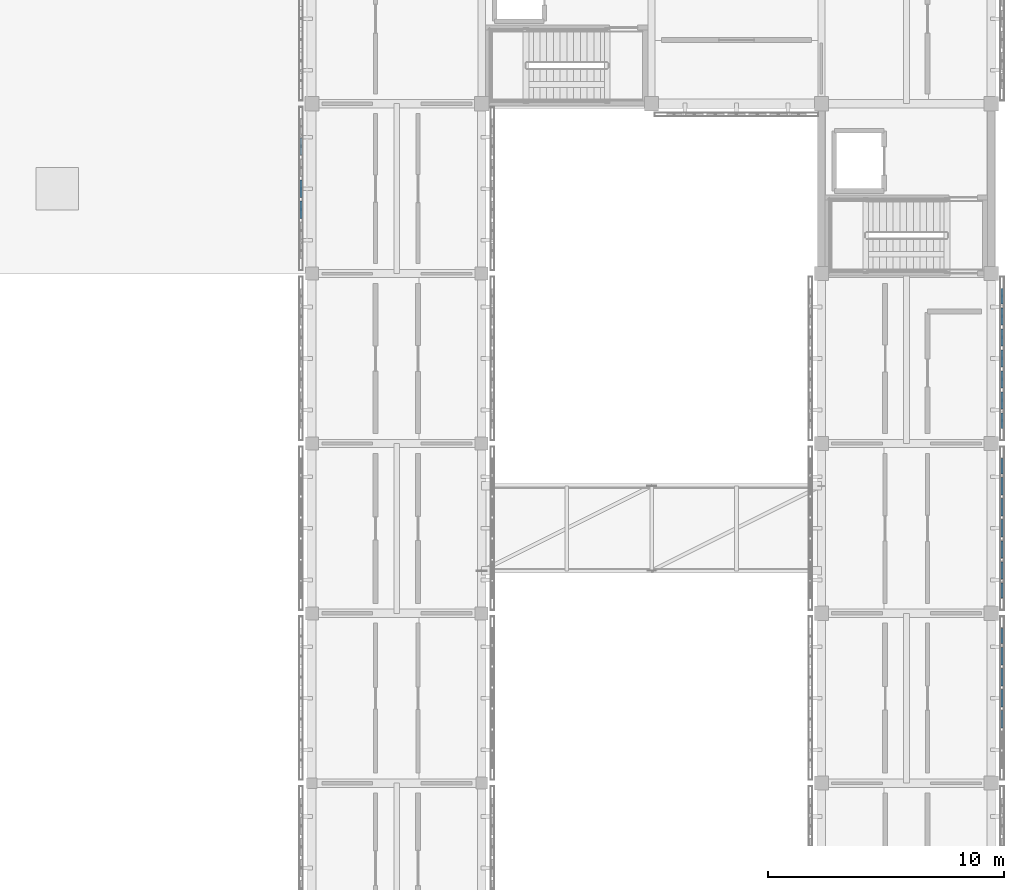
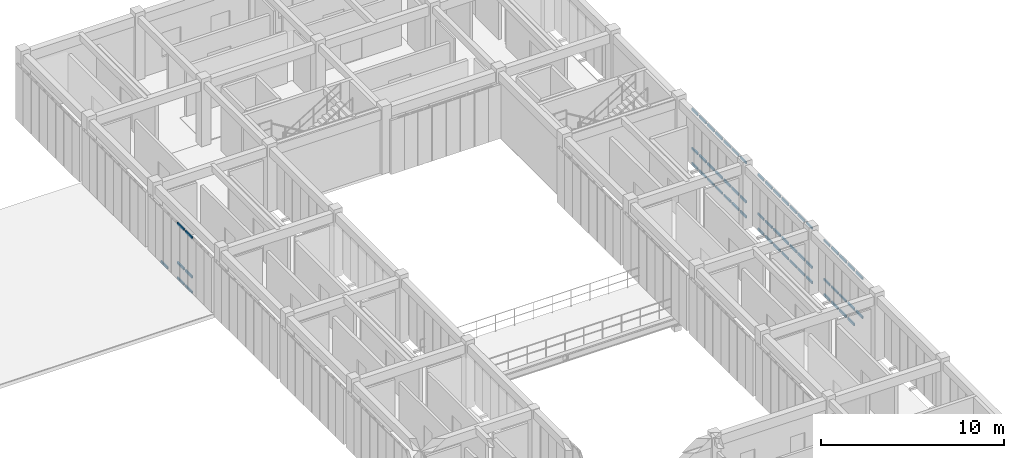
# One storey, part 39 of 91: 63 members, 4 elements without a shape of their own.
"""IFC4 building model written with IfcOpenShell, lengths in metres."""

from ifc_helpers import new_model, si_unit, direction, frame, origin, origin_2d, place, context, subcontext, project, spatial, hollow_rectangle, extrude, material, material_profile, profile_set, type_object, element, aggregate, save


model = new_model("IFC4")

# Units and contexts
model_context = context("Model", 3, precision=1e-05, world=origin(), true_north=direction((0.0, 1.0)))
body_context = subcontext(model_context, "Body", "Model", "MODEL_VIEW")
ifc_project = project(units=[si_unit("LENGTHUNIT", "METRE"), si_unit("AREAUNIT", "SQUARE_METRE"), si_unit("VOLUMEUNIT", "CUBIC_METRE"), si_unit("PLANEANGLEUNIT", "RADIAN"), si_unit("MASSUNIT", "GRAM", prefix="KILO")], contexts=[model_context])

# Site, building, storey
site_placement = place(None, origin())
site = spatial("IfcSite", under=ifc_project, at=site_placement, CompositionType="ELEMENT")
building_placement = place(site_placement, origin())
building = spatial("IfcBuilding", under=site, at=building_placement, Name="Aldebral Square Health Centre", CompositionType="ELEMENT")
storey_placement = place(building_placement, frame((0.0, 0.0, 9.0)))
storey = spatial("IfcBuildingStorey", under=building, at=storey_placement, Name="L02", CompositionType="ELEMENT", Elevation=9.0)

# Curtain wall, members
ifc_material_1 = material(Name="Aluminium and low-E solar glass", Category="aluminium")
curtain_wall_type = type_object("IfcCurtainWallType", Name="CW-FIN-SYS", PredefinedType="USERDEFINED", material=ifc_material_1)
curtain_wall_1_placement = place(storey_placement, origin())
curtain_wall_1 = element("IfcCurtainWall", 1, at=curtain_wall_1_placement, inside=storey, type_object=curtain_wall_type, Name="L02 V5 finned curtain wall L02-V5-19-13-W", ObjectType="SOLAR_CURTAIN_WALL", PredefinedType="USERDEFINED")
ifc_material_2 = material(Name="Anodised aluminium transom", Category="aluminium")
ifc_material_profile = material_profile(ifc_material_2, hollow_rectangle(XDim=0.074951171875, YDim=0.14990234375, WallThickness=0.00390625, at=origin_2d()), Name="CWT 75x150x4")
ifc_profile_set = profile_set([ifc_material_profile], Name="Anodised aluminium transom")
member_type = type_object("IfcMemberType", Name="CWT-STD", PredefinedType="USERDEFINED", material=ifc_profile_set)
member_1_placement = place(storey_placement, frame((136.340087890625, 99.3486328125, 0.03759765625), z_axis=(0.0, -1.0, 0.0), x_axis=(1.0, 0.0, 0.0)))
member_1 = element("IfcMember", 2, at=member_1_placement, type_object=member_type, Name="CW1 transom 2.1", ObjectType="TRANSOM", PredefinedType="USERDEFINED", context=body_context, shape_type="SweptSolid", body=[
    extrude(hollow_rectangle(XDim=0.074951171875, YDim=0.14990234375, WallThickness=0.00390625, at=origin_2d()), origin(), (0.0, 0.0, 1.0), 0.7314453125),
])
member_2_placement = place(storey_placement, frame((136.340087890625, 97.565673828125, 0.03759765625), z_axis=(0.0, -1.0, 0.0), x_axis=(1.0, 0.0, 0.0)))
member_2 = element("IfcMember", 3, at=member_2_placement, type_object=member_type, Name="CW1 transom 4.1", ObjectType="TRANSOM", PredefinedType="USERDEFINED", context=body_context, shape_type="SweptSolid", body=[
    extrude(hollow_rectangle(XDim=0.074951171875, YDim=0.14990234375, WallThickness=0.00390625, at=origin_2d()), origin(), (0.0, 0.0, 1.0), 0.7314453125),
])
member_3_placement = place(storey_placement, frame((136.340087890625, 97.565673828125, 1.050048828125), z_axis=(0.0, -1.0, 0.0), x_axis=(1.0, 0.0, 0.0)))
member_3 = element("IfcMember", 4, at=member_3_placement, type_object=member_type, Name="CW1 transom 4.2", ObjectType="TRANSOM", PredefinedType="USERDEFINED", context=body_context, shape_type="SweptSolid", body=[
    extrude(hollow_rectangle(XDim=0.074951171875, YDim=0.14990234375, WallThickness=0.00390625, at=origin_2d()), origin(), (0.0, 0.0, 1.0), 0.7314453125),
])
member_4_placement = place(storey_placement, frame((136.340087890625, 97.565673828125, 3.652587890625), z_axis=(0.0, -1.0, 0.0), x_axis=(1.0, 0.0, 0.0)))
member_4 = element("IfcMember", 5, at=member_4_placement, type_object=member_type, Name="CW1 transom 4.3", ObjectType="TRANSOM", PredefinedType="USERDEFINED", context=body_context, shape_type="SweptSolid", body=[
    extrude(hollow_rectangle(XDim=0.074951171875, YDim=0.14990234375, WallThickness=0.00390625, at=origin_2d()), origin(), (0.0, 0.0, 1.0), 0.7314453125),
])
member_5_placement = place(storey_placement, frame((136.340087890625, 96.67431640625, 0.03759765625), z_axis=(0.0, -1.0, 0.0), x_axis=(1.0, 0.0, 0.0)))
member_5 = element("IfcMember", 6, at=member_5_placement, type_object=member_type, Name="CW1 transom 5.1", ObjectType="TRANSOM", PredefinedType="USERDEFINED", context=body_context, shape_type="SweptSolid", body=[
    extrude(hollow_rectangle(XDim=0.074951171875, YDim=0.14990234375, WallThickness=0.00390625, at=origin_2d()), origin(), (0.0, 0.0, 1.0), 0.7314453125),
])
member_6_placement = place(storey_placement, frame((136.340087890625, 96.67431640625, 1.050048828125), z_axis=(0.0, -1.0, 0.0), x_axis=(1.0, 0.0, 0.0)))
member_6 = element("IfcMember", 7, at=member_6_placement, type_object=member_type, Name="CW1 transom 5.2", ObjectType="TRANSOM", PredefinedType="USERDEFINED", context=body_context, shape_type="SweptSolid", body=[
    extrude(hollow_rectangle(XDim=0.074951171875, YDim=0.14990234375, WallThickness=0.00390625, at=origin_2d()), origin(), (0.0, 0.0, 1.0), 0.7314453125),
])
member_7_placement = place(storey_placement, frame((136.340087890625, 96.67431640625, 3.652587890625), z_axis=(0.0, -1.0, 0.0), x_axis=(1.0, 0.0, 0.0)))
member_7 = element("IfcMember", 8, at=member_7_placement, type_object=member_type, Name="CW1 transom 5.3", ObjectType="TRANSOM", PredefinedType="USERDEFINED", context=body_context, shape_type="SweptSolid", body=[
    extrude(hollow_rectangle(XDim=0.074951171875, YDim=0.14990234375, WallThickness=0.00390625, at=origin_2d()), origin(), (0.0, 0.0, 1.0), 0.7314453125),
])
aggregate(curtain_wall_1, [member_1, member_2, member_3, member_4, member_5, member_6, member_7])

curtain_wall_2_placement = place(storey_placement, origin())
curtain_wall_2 = element("IfcCurtainWall", 9, at=curtain_wall_2_placement, inside=storey, type_object=curtain_wall_type, Name="L02 V5 finned curtain wall L02-V5-22-10-E", ObjectType="SOLAR_CURTAIN_WALL", PredefinedType="USERDEFINED")
member_8_placement = place(storey_placement, frame((166.06005859375, 74.3427734375, 1.050048828125), z_axis=(0.0, 1.0, 0.0), x_axis=(-1.0, 0.0, 0.0)))
member_8 = element("IfcMember", 10, at=member_8_placement, type_object=member_type, Name="CW1 transom 3.2", ObjectType="TRANSOM", PredefinedType="USERDEFINED", context=body_context, shape_type="SweptSolid", body=[
    extrude(hollow_rectangle(XDim=0.074951171875, YDim=0.14990234375, WallThickness=0.00390625, at=origin_2d()), origin(), (0.0, 0.0, 1.0), 0.7314453125),
])
member_9_placement = place(storey_placement, frame((166.06005859375, 74.3427734375, 3.652587890625), z_axis=(0.0, 1.0, 0.0), x_axis=(-1.0, 0.0, 0.0)))
member_9 = element("IfcMember", 11, at=member_9_placement, type_object=member_type, Name="CW1 transom 3.3", ObjectType="TRANSOM", PredefinedType="USERDEFINED", context=body_context, shape_type="SweptSolid", body=[
    extrude(hollow_rectangle(XDim=0.074951171875, YDim=0.14990234375, WallThickness=0.00390625, at=origin_2d()), origin(), (0.0, 0.0, 1.0), 0.7314453125),
])
member_10_placement = place(storey_placement, frame((166.06005859375, 75.234375, 0.03759765625), z_axis=(0.0, 1.0, 0.0), x_axis=(-1.0, 0.0, 0.0)))
member_10 = element("IfcMember", 12, at=member_10_placement, type_object=member_type, Name="CW1 transom 4.1", ObjectType="TRANSOM", PredefinedType="USERDEFINED", context=body_context, shape_type="SweptSolid", body=[
    extrude(hollow_rectangle(XDim=0.074951171875, YDim=0.14990234375, WallThickness=0.00390625, at=origin_2d()), origin(), (0.0, 0.0, 1.0), 0.7314453125),
])
member_11_placement = place(storey_placement, frame((166.06005859375, 75.234375, 1.050048828125), z_axis=(0.0, 1.0, 0.0), x_axis=(-1.0, 0.0, 0.0)))
member_11 = element("IfcMember", 13, at=member_11_placement, type_object=member_type, Name="CW1 transom 4.2", ObjectType="TRANSOM", PredefinedType="USERDEFINED", context=body_context, shape_type="SweptSolid", body=[
    extrude(hollow_rectangle(XDim=0.074951171875, YDim=0.14990234375, WallThickness=0.00390625, at=origin_2d()), origin(), (0.0, 0.0, 1.0), 0.7314453125),
])
member_12_placement = place(storey_placement, frame((166.06005859375, 75.234375, 3.652587890625), z_axis=(0.0, 1.0, 0.0), x_axis=(-1.0, 0.0, 0.0)))
member_12 = element("IfcMember", 14, at=member_12_placement, type_object=member_type, Name="CW1 transom 4.3", ObjectType="TRANSOM", PredefinedType="USERDEFINED", context=body_context, shape_type="SweptSolid", body=[
    extrude(hollow_rectangle(XDim=0.074951171875, YDim=0.14990234375, WallThickness=0.00390625, at=origin_2d()), origin(), (0.0, 0.0, 1.0), 0.7314453125),
])
member_13_placement = place(storey_placement, frame((166.06005859375, 76.125732421875, 0.03759765625), z_axis=(0.0, 1.0, 0.0), x_axis=(-1.0, 0.0, 0.0)))
member_13 = element("IfcMember", 15, at=member_13_placement, type_object=member_type, Name="CW1 transom 5.1", ObjectType="TRANSOM", PredefinedType="USERDEFINED", context=body_context, shape_type="SweptSolid", body=[
    extrude(hollow_rectangle(XDim=0.074951171875, YDim=0.14990234375, WallThickness=0.00390625, at=origin_2d()), origin(), (0.0, 0.0, 1.0), 0.7314453125),
])
member_14_placement = place(storey_placement, frame((166.06005859375, 76.125732421875, 1.050048828125), z_axis=(0.0, 1.0, 0.0), x_axis=(-1.0, 0.0, 0.0)))
member_14 = element("IfcMember", 16, at=member_14_placement, type_object=member_type, Name="CW1 transom 5.2", ObjectType="TRANSOM", PredefinedType="USERDEFINED", context=body_context, shape_type="SweptSolid", body=[
    extrude(hollow_rectangle(XDim=0.074951171875, YDim=0.14990234375, WallThickness=0.00390625, at=origin_2d()), origin(), (0.0, 0.0, 1.0), 0.7314453125),
])
member_15_placement = place(storey_placement, frame((166.06005859375, 76.125732421875, 3.652587890625), z_axis=(0.0, 1.0, 0.0), x_axis=(-1.0, 0.0, 0.0)))
member_15 = element("IfcMember", 17, at=member_15_placement, type_object=member_type, Name="CW1 transom 5.3", ObjectType="TRANSOM", PredefinedType="USERDEFINED", context=body_context, shape_type="SweptSolid", body=[
    extrude(hollow_rectangle(XDim=0.074951171875, YDim=0.14990234375, WallThickness=0.00390625, at=origin_2d()), origin(), (0.0, 0.0, 1.0), 0.7314453125),
])
member_16_placement = place(storey_placement, frame((166.06005859375, 77.01708984375, 0.03759765625), z_axis=(0.0, 1.0, 0.0), x_axis=(-1.0, 0.0, 0.0)))
member_16 = element("IfcMember", 18, at=member_16_placement, type_object=member_type, Name="CW1 transom 6.1", ObjectType="TRANSOM", PredefinedType="USERDEFINED", context=body_context, shape_type="SweptSolid", body=[
    extrude(hollow_rectangle(XDim=0.074951171875, YDim=0.14990234375, WallThickness=0.00390625, at=origin_2d()), origin(), (0.0, 0.0, 1.0), 0.7314453125),
])
member_17_placement = place(storey_placement, frame((166.06005859375, 77.01708984375, 1.050048828125), z_axis=(0.0, 1.0, 0.0), x_axis=(-1.0, 0.0, 0.0)))
member_17 = element("IfcMember", 19, at=member_17_placement, type_object=member_type, Name="CW1 transom 6.2", ObjectType="TRANSOM", PredefinedType="USERDEFINED", context=body_context, shape_type="SweptSolid", body=[
    extrude(hollow_rectangle(XDim=0.074951171875, YDim=0.14990234375, WallThickness=0.00390625, at=origin_2d()), origin(), (0.0, 0.0, 1.0), 0.7314453125),
])
member_18_placement = place(storey_placement, frame((166.06005859375, 77.01708984375, 3.652587890625), z_axis=(0.0, 1.0, 0.0), x_axis=(-1.0, 0.0, 0.0)))
member_18 = element("IfcMember", 20, at=member_18_placement, type_object=member_type, Name="CW1 transom 6.3", ObjectType="TRANSOM", PredefinedType="USERDEFINED", context=body_context, shape_type="SweptSolid", body=[
    extrude(hollow_rectangle(XDim=0.074951171875, YDim=0.14990234375, WallThickness=0.00390625, at=origin_2d()), origin(), (0.0, 0.0, 1.0), 0.7314453125),
])
member_19_placement = place(storey_placement, frame((166.06005859375, 77.90869140625, 0.03759765625), z_axis=(0.0, 1.0, 0.0), x_axis=(-1.0, 0.0, 0.0)))
member_19 = element("IfcMember", 21, at=member_19_placement, type_object=member_type, Name="CW1 transom 7.1", ObjectType="TRANSOM", PredefinedType="USERDEFINED", context=body_context, shape_type="SweptSolid", body=[
    extrude(hollow_rectangle(XDim=0.074951171875, YDim=0.14990234375, WallThickness=0.00390625, at=origin_2d()), origin(), (0.0, 0.0, 1.0), 0.6513671875),
])
member_20_placement = place(storey_placement, frame((166.06005859375, 77.90869140625, 1.050048828125), z_axis=(0.0, 1.0, 0.0), x_axis=(-1.0, 0.0, 0.0)))
member_20 = element("IfcMember", 22, at=member_20_placement, type_object=member_type, Name="CW1 transom 7.2", ObjectType="TRANSOM", PredefinedType="USERDEFINED", context=body_context, shape_type="SweptSolid", body=[
    extrude(hollow_rectangle(XDim=0.074951171875, YDim=0.14990234375, WallThickness=0.00390625, at=origin_2d()), origin(), (0.0, 0.0, 1.0), 0.6513671875),
])
member_21_placement = place(storey_placement, frame((166.06005859375, 77.90869140625, 3.652587890625), z_axis=(0.0, 1.0, 0.0), x_axis=(-1.0, 0.0, 0.0)))
member_21 = element("IfcMember", 23, at=member_21_placement, type_object=member_type, Name="CW1 transom 7.3", ObjectType="TRANSOM", PredefinedType="USERDEFINED", context=body_context, shape_type="SweptSolid", body=[
    extrude(hollow_rectangle(XDim=0.074951171875, YDim=0.14990234375, WallThickness=0.00390625, at=origin_2d()), origin(), (0.0, 0.0, 1.0), 0.6513671875),
])
aggregate(curtain_wall_2, [member_8, member_9, member_10, member_11, member_12, member_13, member_14, member_15, member_16, member_17, member_18, member_19, member_20, member_21])

curtain_wall_3_placement = place(storey_placement, origin())
curtain_wall_3 = element("IfcCurtainWall", 24, at=curtain_wall_3_placement, inside=storey, type_object=curtain_wall_type, Name="L02 V5 finned curtain wall L02-V5-22-11-E", ObjectType="SOLAR_CURTAIN_WALL", PredefinedType="USERDEFINED")
member_22_placement = place(storey_placement, frame((166.06005859375, 79.840087890625, 0.03759765625), z_axis=(0.0, 1.0, 0.0), x_axis=(-1.0, 0.0, 0.0)))
member_22 = element("IfcMember", 25, at=member_22_placement, type_object=member_type, Name="CW1 transom 1.1", ObjectType="TRANSOM", PredefinedType="USERDEFINED", context=body_context, shape_type="SweptSolid", body=[
    extrude(hollow_rectangle(XDim=0.074951171875, YDim=0.14990234375, WallThickness=0.00390625, at=origin_2d()), origin(), (0.0, 0.0, 1.0), 0.6513671875),
])
member_23_placement = place(storey_placement, frame((166.06005859375, 79.840087890625, 1.050048828125), z_axis=(0.0, 1.0, 0.0), x_axis=(-1.0, 0.0, 0.0)))
member_23 = element("IfcMember", 26, at=member_23_placement, type_object=member_type, Name="CW1 transom 1.2", ObjectType="TRANSOM", PredefinedType="USERDEFINED", context=body_context, shape_type="SweptSolid", body=[
    extrude(hollow_rectangle(XDim=0.074951171875, YDim=0.14990234375, WallThickness=0.00390625, at=origin_2d()), origin(), (0.0, 0.0, 1.0), 0.6513671875),
])
member_24_placement = place(storey_placement, frame((166.06005859375, 79.840087890625, 3.652587890625), z_axis=(0.0, 1.0, 0.0), x_axis=(-1.0, 0.0, 0.0)))
member_24 = element("IfcMember", 27, at=member_24_placement, type_object=member_type, Name="CW1 transom 1.3", ObjectType="TRANSOM", PredefinedType="USERDEFINED", context=body_context, shape_type="SweptSolid", body=[
    extrude(hollow_rectangle(XDim=0.074951171875, YDim=0.14990234375, WallThickness=0.00390625, at=origin_2d()), origin(), (0.0, 0.0, 1.0), 0.6513671875),
])
member_25_placement = place(storey_placement, frame((166.06005859375, 80.6513671875, 0.03759765625), z_axis=(0.0, 1.0, 0.0), x_axis=(-1.0, 0.0, 0.0)))
member_25 = element("IfcMember", 28, at=member_25_placement, type_object=member_type, Name="CW1 transom 2.1", ObjectType="TRANSOM", PredefinedType="USERDEFINED", context=body_context, shape_type="SweptSolid", body=[
    extrude(hollow_rectangle(XDim=0.074951171875, YDim=0.14990234375, WallThickness=0.00390625, at=origin_2d()), origin(), (0.0, 0.0, 1.0), 0.7314453125),
])
member_26_placement = place(storey_placement, frame((166.06005859375, 80.6513671875, 1.050048828125), z_axis=(0.0, 1.0, 0.0), x_axis=(-1.0, 0.0, 0.0)))
member_26 = element("IfcMember", 29, at=member_26_placement, type_object=member_type, Name="CW1 transom 2.2", ObjectType="TRANSOM", PredefinedType="USERDEFINED", context=body_context, shape_type="SweptSolid", body=[
    extrude(hollow_rectangle(XDim=0.074951171875, YDim=0.14990234375, WallThickness=0.00390625, at=origin_2d()), origin(), (0.0, 0.0, 1.0), 0.7314453125),
])
member_27_placement = place(storey_placement, frame((166.06005859375, 80.6513671875, 3.652587890625), z_axis=(0.0, 1.0, 0.0), x_axis=(-1.0, 0.0, 0.0)))
member_27 = element("IfcMember", 30, at=member_27_placement, type_object=member_type, Name="CW1 transom 2.3", ObjectType="TRANSOM", PredefinedType="USERDEFINED", context=body_context, shape_type="SweptSolid", body=[
    extrude(hollow_rectangle(XDim=0.074951171875, YDim=0.14990234375, WallThickness=0.00390625, at=origin_2d()), origin(), (0.0, 0.0, 1.0), 0.7314453125),
])
member_28_placement = place(storey_placement, frame((166.06005859375, 81.54296875, 0.03759765625), z_axis=(0.0, 1.0, 0.0), x_axis=(-1.0, 0.0, 0.0)))
member_28 = element("IfcMember", 31, at=member_28_placement, type_object=member_type, Name="CW1 transom 3.1", ObjectType="TRANSOM", PredefinedType="USERDEFINED", context=body_context, shape_type="SweptSolid", body=[
    extrude(hollow_rectangle(XDim=0.074951171875, YDim=0.14990234375, WallThickness=0.00390625, at=origin_2d()), origin(), (0.0, 0.0, 1.0), 0.731201171875),
])
member_29_placement = place(storey_placement, frame((166.06005859375, 81.54296875, 1.050048828125), z_axis=(0.0, 1.0, 0.0), x_axis=(-1.0, 0.0, 0.0)))
member_29 = element("IfcMember", 32, at=member_29_placement, type_object=member_type, Name="CW1 transom 3.2", ObjectType="TRANSOM", PredefinedType="USERDEFINED", context=body_context, shape_type="SweptSolid", body=[
    extrude(hollow_rectangle(XDim=0.074951171875, YDim=0.14990234375, WallThickness=0.00390625, at=origin_2d()), origin(), (0.0, 0.0, 1.0), 0.731201171875),
])
member_30_placement = place(storey_placement, frame((166.06005859375, 81.54296875, 3.652587890625), z_axis=(0.0, 1.0, 0.0), x_axis=(-1.0, 0.0, 0.0)))
member_30 = element("IfcMember", 33, at=member_30_placement, type_object=member_type, Name="CW1 transom 3.3", ObjectType="TRANSOM", PredefinedType="USERDEFINED", context=body_context, shape_type="SweptSolid", body=[
    extrude(hollow_rectangle(XDim=0.074951171875, YDim=0.14990234375, WallThickness=0.00390625, at=origin_2d()), origin(), (0.0, 0.0, 1.0), 0.731201171875),
])
member_31_placement = place(storey_placement, frame((166.06005859375, 82.434326171875, 0.03759765625), z_axis=(0.0, 1.0, 0.0), x_axis=(-1.0, 0.0, 0.0)))
member_31 = element("IfcMember", 34, at=member_31_placement, type_object=member_type, Name="CW1 transom 4.1", ObjectType="TRANSOM", PredefinedType="USERDEFINED", context=body_context, shape_type="SweptSolid", body=[
    extrude(hollow_rectangle(XDim=0.074951171875, YDim=0.14990234375, WallThickness=0.00390625, at=origin_2d()), origin(), (0.0, 0.0, 1.0), 0.7314453125),
])
member_32_placement = place(storey_placement, frame((166.06005859375, 82.434326171875, 1.050048828125), z_axis=(0.0, 1.0, 0.0), x_axis=(-1.0, 0.0, 0.0)))
member_32 = element("IfcMember", 35, at=member_32_placement, type_object=member_type, Name="CW1 transom 4.2", ObjectType="TRANSOM", PredefinedType="USERDEFINED", context=body_context, shape_type="SweptSolid", body=[
    extrude(hollow_rectangle(XDim=0.074951171875, YDim=0.14990234375, WallThickness=0.00390625, at=origin_2d()), origin(), (0.0, 0.0, 1.0), 0.7314453125),
])
member_33_placement = place(storey_placement, frame((166.06005859375, 82.434326171875, 3.652587890625), z_axis=(0.0, 1.0, 0.0), x_axis=(-1.0, 0.0, 0.0)))
member_33 = element("IfcMember", 36, at=member_33_placement, type_object=member_type, Name="CW1 transom 4.3", ObjectType="TRANSOM", PredefinedType="USERDEFINED", context=body_context, shape_type="SweptSolid", body=[
    extrude(hollow_rectangle(XDim=0.074951171875, YDim=0.14990234375, WallThickness=0.00390625, at=origin_2d()), origin(), (0.0, 0.0, 1.0), 0.7314453125),
])
member_34_placement = place(storey_placement, frame((166.06005859375, 83.32568359375, 0.03759765625), z_axis=(0.0, 1.0, 0.0), x_axis=(-1.0, 0.0, 0.0)))
member_34 = element("IfcMember", 37, at=member_34_placement, type_object=member_type, Name="CW1 transom 5.1", ObjectType="TRANSOM", PredefinedType="USERDEFINED", context=body_context, shape_type="SweptSolid", body=[
    extrude(hollow_rectangle(XDim=0.074951171875, YDim=0.14990234375, WallThickness=0.00390625, at=origin_2d()), origin(), (0.0, 0.0, 1.0), 0.7314453125),
])
member_35_placement = place(storey_placement, frame((166.06005859375, 83.32568359375, 1.050048828125), z_axis=(0.0, 1.0, 0.0), x_axis=(-1.0, 0.0, 0.0)))
member_35 = element("IfcMember", 38, at=member_35_placement, type_object=member_type, Name="CW1 transom 5.2", ObjectType="TRANSOM", PredefinedType="USERDEFINED", context=body_context, shape_type="SweptSolid", body=[
    extrude(hollow_rectangle(XDim=0.074951171875, YDim=0.14990234375, WallThickness=0.00390625, at=origin_2d()), origin(), (0.0, 0.0, 1.0), 0.7314453125),
])
member_36_placement = place(storey_placement, frame((166.06005859375, 83.32568359375, 3.652587890625), z_axis=(0.0, 1.0, 0.0), x_axis=(-1.0, 0.0, 0.0)))
member_36 = element("IfcMember", 39, at=member_36_placement, type_object=member_type, Name="CW1 transom 5.3", ObjectType="TRANSOM", PredefinedType="USERDEFINED", context=body_context, shape_type="SweptSolid", body=[
    extrude(hollow_rectangle(XDim=0.074951171875, YDim=0.14990234375, WallThickness=0.00390625, at=origin_2d()), origin(), (0.0, 0.0, 1.0), 0.7314453125),
])
member_37_placement = place(storey_placement, frame((166.06005859375, 84.217041015625, 0.03759765625), z_axis=(0.0, 1.0, 0.0), x_axis=(-1.0, 0.0, 0.0)))
member_37 = element("IfcMember", 40, at=member_37_placement, type_object=member_type, Name="CW1 transom 6.1", ObjectType="TRANSOM", PredefinedType="USERDEFINED", context=body_context, shape_type="SweptSolid", body=[
    extrude(hollow_rectangle(XDim=0.074951171875, YDim=0.14990234375, WallThickness=0.00390625, at=origin_2d()), origin(), (0.0, 0.0, 1.0), 0.7314453125),
])
member_38_placement = place(storey_placement, frame((166.06005859375, 84.217041015625, 1.050048828125), z_axis=(0.0, 1.0, 0.0), x_axis=(-1.0, 0.0, 0.0)))
member_38 = element("IfcMember", 41, at=member_38_placement, type_object=member_type, Name="CW1 transom 6.2", ObjectType="TRANSOM", PredefinedType="USERDEFINED", context=body_context, shape_type="SweptSolid", body=[
    extrude(hollow_rectangle(XDim=0.074951171875, YDim=0.14990234375, WallThickness=0.00390625, at=origin_2d()), origin(), (0.0, 0.0, 1.0), 0.7314453125),
])
member_39_placement = place(storey_placement, frame((166.06005859375, 84.217041015625, 3.652587890625), z_axis=(0.0, 1.0, 0.0), x_axis=(-1.0, 0.0, 0.0)))
member_39 = element("IfcMember", 42, at=member_39_placement, type_object=member_type, Name="CW1 transom 6.3", ObjectType="TRANSOM", PredefinedType="USERDEFINED", context=body_context, shape_type="SweptSolid", body=[
    extrude(hollow_rectangle(XDim=0.074951171875, YDim=0.14990234375, WallThickness=0.00390625, at=origin_2d()), origin(), (0.0, 0.0, 1.0), 0.7314453125),
])
member_40_placement = place(storey_placement, frame((166.06005859375, 85.108642578125, 0.03759765625), z_axis=(0.0, 1.0, 0.0), x_axis=(-1.0, 0.0, 0.0)))
member_40 = element("IfcMember", 43, at=member_40_placement, type_object=member_type, Name="CW1 transom 7.1", ObjectType="TRANSOM", PredefinedType="USERDEFINED", context=body_context, shape_type="SweptSolid", body=[
    extrude(hollow_rectangle(XDim=0.074951171875, YDim=0.14990234375, WallThickness=0.00390625, at=origin_2d()), origin(), (0.0, 0.0, 1.0), 0.6513671875),
])
member_41_placement = place(storey_placement, frame((166.06005859375, 85.108642578125, 1.050048828125), z_axis=(0.0, 1.0, 0.0), x_axis=(-1.0, 0.0, 0.0)))
member_41 = element("IfcMember", 44, at=member_41_placement, type_object=member_type, Name="CW1 transom 7.2", ObjectType="TRANSOM", PredefinedType="USERDEFINED", context=body_context, shape_type="SweptSolid", body=[
    extrude(hollow_rectangle(XDim=0.074951171875, YDim=0.14990234375, WallThickness=0.00390625, at=origin_2d()), origin(), (0.0, 0.0, 1.0), 0.6513671875),
])
member_42_placement = place(storey_placement, frame((166.06005859375, 85.108642578125, 3.652587890625), z_axis=(0.0, 1.0, 0.0), x_axis=(-1.0, 0.0, 0.0)))
member_42 = element("IfcMember", 45, at=member_42_placement, type_object=member_type, Name="CW1 transom 7.3", ObjectType="TRANSOM", PredefinedType="USERDEFINED", context=body_context, shape_type="SweptSolid", body=[
    extrude(hollow_rectangle(XDim=0.074951171875, YDim=0.14990234375, WallThickness=0.00390625, at=origin_2d()), origin(), (0.0, 0.0, 1.0), 0.6513671875),
])
aggregate(curtain_wall_3, [member_22, member_23, member_24, member_25, member_26, member_27, member_28, member_29, member_30, member_31, member_32, member_33, member_34, member_35, member_36, member_37, member_38, member_39, member_40, member_41, member_42])

curtain_wall_4_placement = place(storey_placement, origin())
curtain_wall_4 = element("IfcCurtainWall", 46, at=curtain_wall_4_placement, inside=storey, type_object=curtain_wall_type, Name="L02 V5 finned curtain wall L02-V5-22-12-E", ObjectType="SOLAR_CURTAIN_WALL", PredefinedType="USERDEFINED")
member_43_placement = place(storey_placement, frame((166.06005859375, 87.0400390625, 0.03759765625), z_axis=(0.0, 1.0, 0.0), x_axis=(-1.0, 0.0, 0.0)))
member_43 = element("IfcMember", 47, at=member_43_placement, type_object=member_type, Name="CW1 transom 1.1", ObjectType="TRANSOM", PredefinedType="USERDEFINED", context=body_context, shape_type="SweptSolid", body=[
    extrude(hollow_rectangle(XDim=0.074951171875, YDim=0.14990234375, WallThickness=0.00390625, at=origin_2d()), origin(), (0.0, 0.0, 1.0), 0.6513671875),
])
member_44_placement = place(storey_placement, frame((166.06005859375, 87.0400390625, 1.050048828125), z_axis=(0.0, 1.0, 0.0), x_axis=(-1.0, 0.0, 0.0)))
member_44 = element("IfcMember", 48, at=member_44_placement, type_object=member_type, Name="CW1 transom 1.2", ObjectType="TRANSOM", PredefinedType="USERDEFINED", context=body_context, shape_type="SweptSolid", body=[
    extrude(hollow_rectangle(XDim=0.074951171875, YDim=0.14990234375, WallThickness=0.00390625, at=origin_2d()), origin(), (0.0, 0.0, 1.0), 0.6513671875),
])
member_45_placement = place(storey_placement, frame((166.06005859375, 87.0400390625, 3.652587890625), z_axis=(0.0, 1.0, 0.0), x_axis=(-1.0, 0.0, 0.0)))
member_45 = element("IfcMember", 49, at=member_45_placement, type_object=member_type, Name="CW1 transom 1.3", ObjectType="TRANSOM", PredefinedType="USERDEFINED", context=body_context, shape_type="SweptSolid", body=[
    extrude(hollow_rectangle(XDim=0.074951171875, YDim=0.14990234375, WallThickness=0.00390625, at=origin_2d()), origin(), (0.0, 0.0, 1.0), 0.6513671875),
])
member_46_placement = place(storey_placement, frame((166.06005859375, 87.851318359375, 0.03759765625), z_axis=(0.0, 1.0, 0.0), x_axis=(-1.0, 0.0, 0.0)))
member_46 = element("IfcMember", 50, at=member_46_placement, type_object=member_type, Name="CW1 transom 2.1", ObjectType="TRANSOM", PredefinedType="USERDEFINED", context=body_context, shape_type="SweptSolid", body=[
    extrude(hollow_rectangle(XDim=0.074951171875, YDim=0.14990234375, WallThickness=0.00390625, at=origin_2d()), origin(), (0.0, 0.0, 1.0), 0.7314453125),
])
member_47_placement = place(storey_placement, frame((166.06005859375, 87.851318359375, 1.050048828125), z_axis=(0.0, 1.0, 0.0), x_axis=(-1.0, 0.0, 0.0)))
member_47 = element("IfcMember", 51, at=member_47_placement, type_object=member_type, Name="CW1 transom 2.2", ObjectType="TRANSOM", PredefinedType="USERDEFINED", context=body_context, shape_type="SweptSolid", body=[
    extrude(hollow_rectangle(XDim=0.074951171875, YDim=0.14990234375, WallThickness=0.00390625, at=origin_2d()), origin(), (0.0, 0.0, 1.0), 0.7314453125),
])
member_48_placement = place(storey_placement, frame((166.06005859375, 87.851318359375, 3.652587890625), z_axis=(0.0, 1.0, 0.0), x_axis=(-1.0, 0.0, 0.0)))
member_48 = element("IfcMember", 52, at=member_48_placement, type_object=member_type, Name="CW1 transom 2.3", ObjectType="TRANSOM", PredefinedType="USERDEFINED", context=body_context, shape_type="SweptSolid", body=[
    extrude(hollow_rectangle(XDim=0.074951171875, YDim=0.14990234375, WallThickness=0.00390625, at=origin_2d()), origin(), (0.0, 0.0, 1.0), 0.7314453125),
])
member_49_placement = place(storey_placement, frame((166.06005859375, 88.742919921875, 0.03759765625), z_axis=(0.0, 1.0, 0.0), x_axis=(-1.0, 0.0, 0.0)))
member_49 = element("IfcMember", 53, at=member_49_placement, type_object=member_type, Name="CW1 transom 3.1", ObjectType="TRANSOM", PredefinedType="USERDEFINED", context=body_context, shape_type="SweptSolid", body=[
    extrude(hollow_rectangle(XDim=0.074951171875, YDim=0.14990234375, WallThickness=0.00390625, at=origin_2d()), origin(), (0.0, 0.0, 1.0), 0.7314453125),
])
member_50_placement = place(storey_placement, frame((166.06005859375, 88.742919921875, 1.050048828125), z_axis=(0.0, 1.0, 0.0), x_axis=(-1.0, 0.0, 0.0)))
member_50 = element("IfcMember", 54, at=member_50_placement, type_object=member_type, Name="CW1 transom 3.2", ObjectType="TRANSOM", PredefinedType="USERDEFINED", context=body_context, shape_type="SweptSolid", body=[
    extrude(hollow_rectangle(XDim=0.074951171875, YDim=0.14990234375, WallThickness=0.00390625, at=origin_2d()), origin(), (0.0, 0.0, 1.0), 0.7314453125),
])
member_51_placement = place(storey_placement, frame((166.06005859375, 88.742919921875, 3.652587890625), z_axis=(0.0, 1.0, 0.0), x_axis=(-1.0, 0.0, 0.0)))
member_51 = element("IfcMember", 55, at=member_51_placement, type_object=member_type, Name="CW1 transom 3.3", ObjectType="TRANSOM", PredefinedType="USERDEFINED", context=body_context, shape_type="SweptSolid", body=[
    extrude(hollow_rectangle(XDim=0.074951171875, YDim=0.14990234375, WallThickness=0.00390625, at=origin_2d()), origin(), (0.0, 0.0, 1.0), 0.7314453125),
])
member_52_placement = place(storey_placement, frame((166.06005859375, 89.63427734375, 0.03759765625), z_axis=(0.0, 1.0, 0.0), x_axis=(-1.0, 0.0, 0.0)))
member_52 = element("IfcMember", 56, at=member_52_placement, type_object=member_type, Name="CW1 transom 4.1", ObjectType="TRANSOM", PredefinedType="USERDEFINED", context=body_context, shape_type="SweptSolid", body=[
    extrude(hollow_rectangle(XDim=0.074951171875, YDim=0.14990234375, WallThickness=0.00390625, at=origin_2d()), origin(), (0.0, 0.0, 1.0), 0.7314453125),
])
member_53_placement = place(storey_placement, frame((166.06005859375, 89.63427734375, 1.050048828125), z_axis=(0.0, 1.0, 0.0), x_axis=(-1.0, 0.0, 0.0)))
member_53 = element("IfcMember", 57, at=member_53_placement, type_object=member_type, Name="CW1 transom 4.2", ObjectType="TRANSOM", PredefinedType="USERDEFINED", context=body_context, shape_type="SweptSolid", body=[
    extrude(hollow_rectangle(XDim=0.074951171875, YDim=0.14990234375, WallThickness=0.00390625, at=origin_2d()), origin(), (0.0, 0.0, 1.0), 0.7314453125),
])
member_54_placement = place(storey_placement, frame((166.06005859375, 89.63427734375, 3.652587890625), z_axis=(0.0, 1.0, 0.0), x_axis=(-1.0, 0.0, 0.0)))
member_54 = element("IfcMember", 58, at=member_54_placement, type_object=member_type, Name="CW1 transom 4.3", ObjectType="TRANSOM", PredefinedType="USERDEFINED", context=body_context, shape_type="SweptSolid", body=[
    extrude(hollow_rectangle(XDim=0.074951171875, YDim=0.14990234375, WallThickness=0.00390625, at=origin_2d()), origin(), (0.0, 0.0, 1.0), 0.7314453125),
])
member_55_placement = place(storey_placement, frame((166.06005859375, 90.525634765625, 0.03759765625), z_axis=(0.0, 1.0, 0.0), x_axis=(-1.0, 0.0, 0.0)))
member_55 = element("IfcMember", 59, at=member_55_placement, type_object=member_type, Name="CW1 transom 5.1", ObjectType="TRANSOM", PredefinedType="USERDEFINED", context=body_context, shape_type="SweptSolid", body=[
    extrude(hollow_rectangle(XDim=0.074951171875, YDim=0.14990234375, WallThickness=0.00390625, at=origin_2d()), origin(), (0.0, 0.0, 1.0), 0.7314453125),
])
member_56_placement = place(storey_placement, frame((166.06005859375, 90.525634765625, 1.050048828125), z_axis=(0.0, 1.0, 0.0), x_axis=(-1.0, 0.0, 0.0)))
member_56 = element("IfcMember", 60, at=member_56_placement, type_object=member_type, Name="CW1 transom 5.2", ObjectType="TRANSOM", PredefinedType="USERDEFINED", context=body_context, shape_type="SweptSolid", body=[
    extrude(hollow_rectangle(XDim=0.074951171875, YDim=0.14990234375, WallThickness=0.00390625, at=origin_2d()), origin(), (0.0, 0.0, 1.0), 0.7314453125),
])
member_57_placement = place(storey_placement, frame((166.06005859375, 90.525634765625, 3.652587890625), z_axis=(0.0, 1.0, 0.0), x_axis=(-1.0, 0.0, 0.0)))
member_57 = element("IfcMember", 61, at=member_57_placement, type_object=member_type, Name="CW1 transom 5.3", ObjectType="TRANSOM", PredefinedType="USERDEFINED", context=body_context, shape_type="SweptSolid", body=[
    extrude(hollow_rectangle(XDim=0.074951171875, YDim=0.14990234375, WallThickness=0.00390625, at=origin_2d()), origin(), (0.0, 0.0, 1.0), 0.7314453125),
])
member_58_placement = place(storey_placement, frame((166.06005859375, 91.417236328125, 0.03759765625), z_axis=(0.0, 1.0, 0.0), x_axis=(-1.0, 0.0, 0.0)))
member_58 = element("IfcMember", 62, at=member_58_placement, type_object=member_type, Name="CW1 transom 6.1", ObjectType="TRANSOM", PredefinedType="USERDEFINED", context=body_context, shape_type="SweptSolid", body=[
    extrude(hollow_rectangle(XDim=0.074951171875, YDim=0.14990234375, WallThickness=0.00390625, at=origin_2d()), origin(), (0.0, 0.0, 1.0), 0.7314453125),
])
member_59_placement = place(storey_placement, frame((166.06005859375, 91.417236328125, 1.050048828125), z_axis=(0.0, 1.0, 0.0), x_axis=(-1.0, 0.0, 0.0)))
member_59 = element("IfcMember", 63, at=member_59_placement, type_object=member_type, Name="CW1 transom 6.2", ObjectType="TRANSOM", PredefinedType="USERDEFINED", context=body_context, shape_type="SweptSolid", body=[
    extrude(hollow_rectangle(XDim=0.074951171875, YDim=0.14990234375, WallThickness=0.00390625, at=origin_2d()), origin(), (0.0, 0.0, 1.0), 0.7314453125),
])
member_60_placement = place(storey_placement, frame((166.06005859375, 91.417236328125, 3.652587890625), z_axis=(0.0, 1.0, 0.0), x_axis=(-1.0, 0.0, 0.0)))
member_60 = element("IfcMember", 64, at=member_60_placement, type_object=member_type, Name="CW1 transom 6.3", ObjectType="TRANSOM", PredefinedType="USERDEFINED", context=body_context, shape_type="SweptSolid", body=[
    extrude(hollow_rectangle(XDim=0.074951171875, YDim=0.14990234375, WallThickness=0.00390625, at=origin_2d()), origin(), (0.0, 0.0, 1.0), 0.7314453125),
])
member_61_placement = place(storey_placement, frame((166.06005859375, 92.30859375, 0.03759765625), z_axis=(0.0, 1.0, 0.0), x_axis=(-1.0, 0.0, 0.0)))
member_61 = element("IfcMember", 65, at=member_61_placement, type_object=member_type, Name="CW1 transom 7.1", ObjectType="TRANSOM", PredefinedType="USERDEFINED", context=body_context, shape_type="SweptSolid", body=[
    extrude(hollow_rectangle(XDim=0.074951171875, YDim=0.14990234375, WallThickness=0.00390625, at=origin_2d()), origin(), (0.0, 0.0, 1.0), 0.6513671875),
])
member_62_placement = place(storey_placement, frame((166.06005859375, 92.30859375, 1.050048828125), z_axis=(0.0, 1.0, 0.0), x_axis=(-1.0, 0.0, 0.0)))
member_62 = element("IfcMember", 66, at=member_62_placement, type_object=member_type, Name="CW1 transom 7.2", ObjectType="TRANSOM", PredefinedType="USERDEFINED", context=body_context, shape_type="SweptSolid", body=[
    extrude(hollow_rectangle(XDim=0.074951171875, YDim=0.14990234375, WallThickness=0.00390625, at=origin_2d()), origin(), (0.0, 0.0, 1.0), 0.6513671875),
])
member_63_placement = place(storey_placement, frame((166.06005859375, 92.30859375, 3.652587890625), z_axis=(0.0, 1.0, 0.0), x_axis=(-1.0, 0.0, 0.0)))
member_63 = element("IfcMember", 67, at=member_63_placement, type_object=member_type, Name="CW1 transom 7.3", ObjectType="TRANSOM", PredefinedType="USERDEFINED", context=body_context, shape_type="SweptSolid", body=[
    extrude(hollow_rectangle(XDim=0.074951171875, YDim=0.14990234375, WallThickness=0.00390625, at=origin_2d()), origin(), (0.0, 0.0, 1.0), 0.6513671875),
])
aggregate(curtain_wall_4, [member_43, member_44, member_45, member_46, member_47, member_48, member_49, member_50, member_51, member_52, member_53, member_54, member_55, member_56, member_57, member_58, member_59, member_60, member_61, member_62, member_63])

save(model, "model.ifc")
